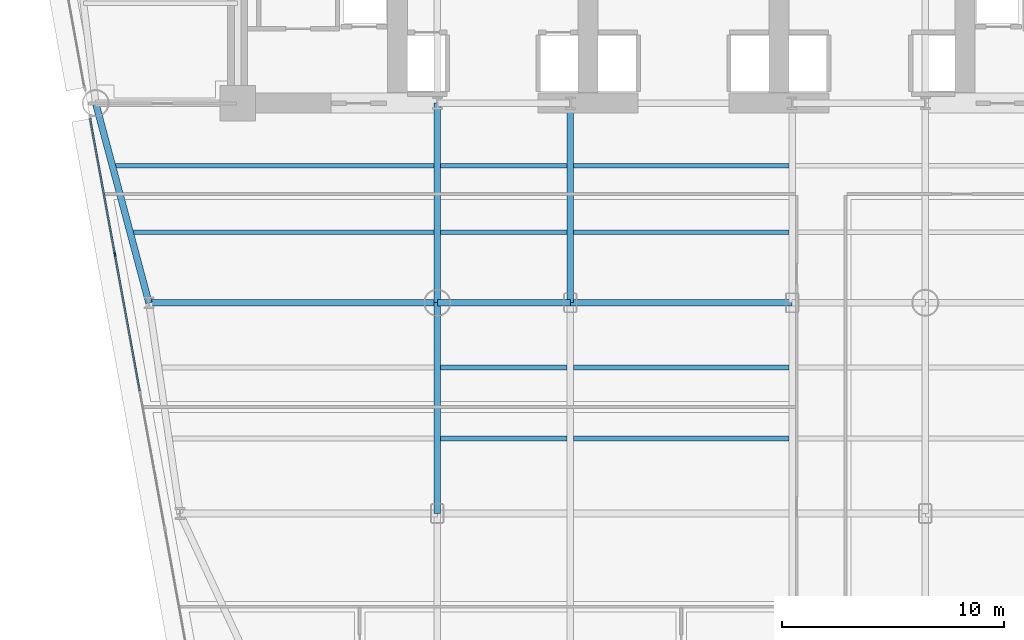
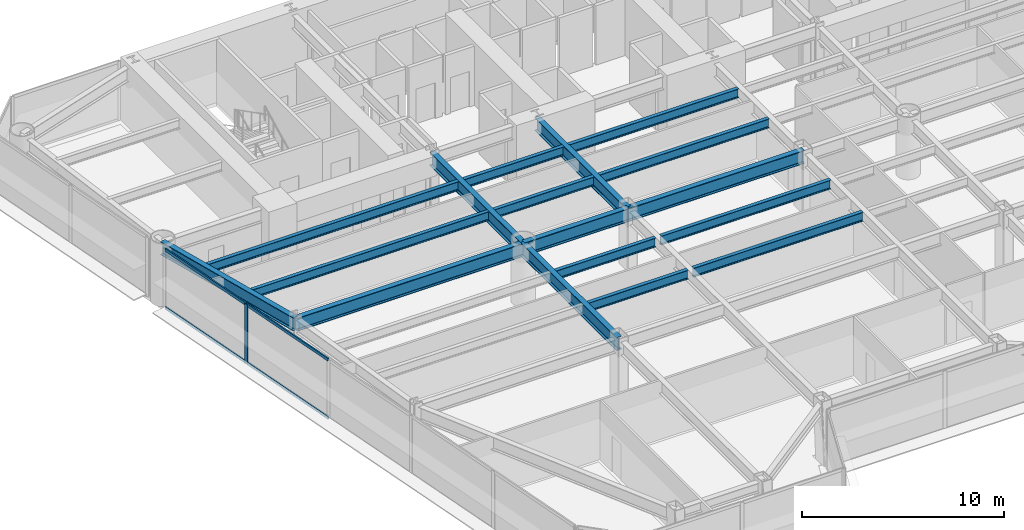
# One storey, part 3 of 14: 17 beams, 5 members, 1 element without a shape of its own.
"""IFC4 building model written with IfcOpenShell, lengths in metres."""

from ifc_helpers import new_model, si_unit, direction, frame, origin, origin_2d, place, context, subcontext, project, spatial, rectangle, i_section, extrude, source, transform, mapped, material, layer, layer_set, material_profile, profile_set, type_object, element, aggregate, save


model = new_model("IFC4")

# Units and contexts
model_context = context("Model", 3, precision=1e-05, world=origin(), true_north=direction((0.0, 1.0)))
body_context = subcontext(model_context, "Body", "Model", "MODEL_VIEW")
ifc_project = project(units=[si_unit("LENGTHUNIT", "METRE"), si_unit("AREAUNIT", "SQUARE_METRE"), si_unit("VOLUMEUNIT", "CUBIC_METRE"), si_unit("PLANEANGLEUNIT", "RADIAN"), si_unit("MASSUNIT", "GRAM", prefix="KILO")], contexts=[model_context])

# Site, building, storey
site_placement = place(None, origin())
site = spatial("IfcSite", under=ifc_project, at=site_placement, CompositionType="ELEMENT")
building_placement = place(site_placement, origin())
building = spatial("IfcBuilding", under=site, at=building_placement, Name="Vaeldorn Concourse Tower", CompositionType="ELEMENT")
storey_placement = place(building_placement, frame((0.0, 0.0, 60.60009765625)))
storey = spatial("IfcBuildingStorey", under=building, at=storey_placement, Name="L15", CompositionType="ELEMENT", Elevation=60.60009765625)

# Beams
ifc_material_1 = material(Name="Steel S355", Category="steel")
ifc_material_profile_1 = material_profile(ifc_material_1, i_section(OverallWidth=0.300048828125, OverallDepth=0.800048828125, WebThickness=0.017578125, FlangeThickness=0.032958984375, FilletRadius=0.030029296875, at=origin_2d()), Name="HEB 800")
ifc_profile_set_1 = profile_set([ifc_material_profile_1], Name="Steel S355")
beam_type_1 = type_object("IfcBeamType", Name="BM-PG-HEB800", PredefinedType="BEAM", material=ifc_profile_set_1)
shared_shape_1 = source(origin(), body_context, "Body", "SweptSolid", [
    extrude(i_section(OverallWidth=0.300048828125, OverallDepth=0.800048828125, WebThickness=0.017578125, FlangeThickness=0.032958984375, FilletRadius=0.030029296875, at=origin_2d()), origin(), (0.0, 0.0, 1.0), 6.0),
])
beam_1_placement = place(storey_placement, frame((23.0, 27.5, 3.179931640625), z_axis=(1.0, 0.0, 0.0), x_axis=(0.0, 1.0, 0.0)))
element("IfcBeam", 1, at=beam_1_placement, inside=storey, type_object=beam_type_1, Name="Beam BM-L15-C-TW1-C-TW2", PredefinedType="BEAM", context=body_context, shape_type="MappedRepresentation", body=[
    mapped(shared_shape_1, transform((0.0, 0.0, 0.0), scale=1.0)),
])
shared_shape_2 = source(origin(), body_context, "Body", "SweptSolid", [
    extrude(i_section(OverallWidth=0.300048828125, OverallDepth=0.800048828125, WebThickness=0.017578125, FlangeThickness=0.032958984375, FilletRadius=0.030029296875, at=origin_2d()), origin(), (0.0, 0.0, 1.0), 10.0),
])
beam_2_placement = place(storey_placement, frame((29.0, 27.5, 3.179931640625), z_axis=(1.0, 0.0, 0.0), x_axis=(0.0, 1.0, 0.0)))
element("IfcBeam", 2, at=beam_2_placement, inside=storey, type_object=beam_type_1, Name="Beam BM-L15-C-TW2-C-TW3", PredefinedType="BEAM", context=body_context, shape_type="MappedRepresentation", body=[
    mapped(shared_shape_2, transform((0.0, 0.0, 0.0), scale=1.0)),
])
shared_shape_3 = source(origin(), body_context, "Body", "SweptSolid", [
    extrude(i_section(OverallWidth=0.300048828125, OverallDepth=0.800048828125, WebThickness=0.017578125, FlangeThickness=0.032958984375, FilletRadius=0.030029296875, at=origin_2d()), origin(), (0.0, 0.0, 1.0), 9.0),
])
for number, where, z_axis, x_axis, name in (
    (3, (23.0, 27.5, 3.179931640625), (0.0, 1.0, 0.0), (-1.0, 0.0, 0.0), "Beam BM-L15-C-TW1-C-FC2"),
    (4, (29.0, 27.5, 3.179931640625), (0.0, 1.0, 0.0), (-1.0, 0.0, 0.0), "Beam BM-L15-C-TW2-C-FC3"),
):
    element("IfcBeam", number, at=place(storey_placement, frame(where, z_axis=z_axis, x_axis=x_axis)), inside=storey, type_object=beam_type_1, Name=name, PredefinedType="BEAM", context=body_context, shape_type="MappedRepresentation", body=[
        mapped(shared_shape_3, transform((0.0, 0.0, 0.0), scale=1.0)),
    ])
shared_shape_4 = source(origin(), body_context, "Body", "SweptSolid", [
    extrude(i_section(OverallWidth=0.300048828125, OverallDepth=0.800048828125, WebThickness=0.017578125, FlangeThickness=0.032958984375, FilletRadius=0.030029296875, at=origin_2d()), origin(), (0.0, 0.0, 1.0), 9.314453125),
])
beam_3_placement = place(storey_placement, frame((7.60009765625, 36.5, 3.179931640625), z_axis=(0.257652862255, -0.966237549763, 0.0), x_axis=(0.966237549763, 0.257652862255, 0.0)))
element("IfcBeam", 5, at=beam_3_placement, inside=storey, type_object=beam_type_1, Name="Beam BM-L15-C-NW2-C-FLW1", PredefinedType="BEAM", context=body_context, shape_type="MappedRepresentation", body=[
    mapped(shared_shape_4, transform((0.0, 0.0, 0.0), scale=1.0)),
])
shared_shape_5 = source(origin(), body_context, "Body", "SweptSolid", [
    extrude(i_section(OverallWidth=0.300048828125, OverallDepth=0.800048828125, WebThickness=0.017578125, FlangeThickness=0.032958984375, FilletRadius=0.030029296875, at=origin_2d()), origin(), (0.0, 0.0, 1.0), 13.0),
])
beam_4_placement = place(storey_placement, frame((10.0, 27.5, 3.179931640625), z_axis=(1.0, 0.0, 0.0), x_axis=(0.0, 1.0, 0.0)))
element("IfcBeam", 6, at=beam_4_placement, inside=storey, type_object=beam_type_1, Name="Beam BM-L15-C-FLW1-C-TW1", PredefinedType="BEAM", context=body_context, shape_type="MappedRepresentation", body=[
    mapped(shared_shape_5, transform((0.0, 0.0, 0.0), scale=1.0)),
])
shared_shape_6 = source(origin(), body_context, "Body", "SweptSolid", [
    extrude(i_section(OverallWidth=0.300048828125, OverallDepth=0.800048828125, WebThickness=0.017578125, FlangeThickness=0.032958984375, FilletRadius=0.030029296875, at=origin_2d()), origin(), (0.0, 0.0, 1.0), 9.5),
])
beam_5_placement = place(storey_placement, frame((23.0, 18.0, 3.179931640625), z_axis=(0.0, 1.0, 0.0), x_axis=(-1.0, 0.0, 0.0)))
element("IfcBeam", 7, at=beam_5_placement, inside=storey, type_object=beam_type_1, Name="Beam BM-L15-C-TW5-C-TW1", PredefinedType="BEAM", context=body_context, shape_type="MappedRepresentation", body=[
    mapped(shared_shape_6, transform((0.0, 0.0, 0.0), scale=1.0)),
])
ifc_material_profile_2 = material_profile(ifc_material_1, i_section(OverallWidth=0.2099609375, OverallDepth=0.550048828125, WebThickness=0.010986328125, FlangeThickness=0.01708984375, FilletRadius=0.02392578125, at=origin_2d()), Name="IPE 550")
ifc_profile_set_2 = profile_set([ifc_material_profile_2], Name="Steel S355")
beam_type_2 = type_object("IfcBeamType", Name="BM-JS-IPE550", PredefinedType="JOIST", material=ifc_profile_set_2)
shared_shape_7 = source(origin(), body_context, "Body", "SweptSolid", [
    extrude(i_section(OverallWidth=0.2099609375, OverallDepth=0.550048828125, WebThickness=0.010986328125, FlangeThickness=0.01708984375, FilletRadius=0.02392578125, at=origin_2d()), origin(), (0.0, 0.0, 1.0), 5.7001953125),
])
for number, where, z_axis, x_axis, name in (
    (8, (23.14990234375, 21.3798828125, 3.304931640625), (1.0, 0.0, 0.0), (0.0, 1.0, 0.0), "Beam JS-L15-W2-213"),
    (9, (23.14990234375, 24.580078125, 3.304931640625), (1.0, 0.0, 0.0), (0.0, 1.0, 0.0), "Beam JS-L15-W2-245"),
    (10, (23.14990234375, 30.679931640625, 3.304931640625), (1.0, 0.0, 0.0), (0.0, 1.0, 0.0), "Beam JS-L15-W2-306"),
    (11, (23.14990234375, 33.679931640625, 3.304931640625), (1.0, 0.0, 0.0), (0.0, 1.0, 0.0), "Beam JS-L15-W2-336"),
):
    element("IfcBeam", number, at=place(storey_placement, frame(where, z_axis=z_axis, x_axis=x_axis)), inside=storey, type_object=beam_type_2, Name=name, PredefinedType="JOIST", context=body_context, shape_type="MappedRepresentation", body=[
        mapped(shared_shape_7, transform((0.0, 0.0, 0.0), scale=1.0)),
    ])
shared_shape_8 = source(origin(), body_context, "Body", "SweptSolid", [
    extrude(i_section(OverallWidth=0.2099609375, OverallDepth=0.550048828125, WebThickness=0.010986328125, FlangeThickness=0.01708984375, FilletRadius=0.02392578125, at=origin_2d()), origin(), (0.0, 0.0, 1.0), 9.7001953125),
])
for number, where, z_axis, x_axis, name in (
    (12, (29.14990234375, 21.3798828125, 3.304931640625), (1.0, 0.0, 0.0), (0.0, 1.0, 0.0), "Beam JS-L15-C-213"),
    (13, (29.14990234375, 24.580078125, 3.304931640625), (1.0, 0.0, 0.0), (0.0, 1.0, 0.0), "Beam JS-L15-C-245"),
    (14, (29.14990234375, 30.679931640625, 3.304931640625), (1.0, 0.0, 0.0), (0.0, 1.0, 0.0), "Beam JS-L15-C-306"),
    (15, (29.14990234375, 33.679931640625, 3.304931640625), (1.0, 0.0, 0.0), (0.0, 1.0, 0.0), "Beam JS-L15-C-336"),
):
    element("IfcBeam", number, at=place(storey_placement, frame(where, z_axis=z_axis, x_axis=x_axis)), inside=storey, type_object=beam_type_2, Name=name, PredefinedType="JOIST", context=body_context, shape_type="MappedRepresentation", body=[
        mapped(shared_shape_8, transform((0.0, 0.0, 0.0), scale=1.0)),
    ])
shared_shape_9 = source(origin(), body_context, "Body", "SweptSolid", [
    extrude(i_section(OverallWidth=0.2099609375, OverallDepth=0.550048828125, WebThickness=0.010986328125, FlangeThickness=0.01708984375, FilletRadius=0.02392578125, at=origin_2d()), origin(), (0.0, 0.0, 1.0), 13.548095703125),
])
beam_6_placement = place(storey_placement, frame((9.302001953125, 30.679931640625, 3.304931640625), z_axis=(1.0, 0.0, 0.0), x_axis=(0.0, 1.0, 0.0)))
element("IfcBeam", 16, at=beam_6_placement, inside=storey, type_object=beam_type_2, Name="Beam JS-L15-W1-306", PredefinedType="JOIST", context=body_context, shape_type="MappedRepresentation", body=[
    mapped(shared_shape_9, transform((0.0, 0.0, 0.0), scale=1.0)),
])
shared_shape_10 = source(origin(), body_context, "Body", "SweptSolid", [
    extrude(i_section(OverallWidth=0.2099609375, OverallDepth=0.550048828125, WebThickness=0.010986328125, FlangeThickness=0.01708984375, FilletRadius=0.02392578125, at=origin_2d()), origin(), (0.0, 0.0, 1.0), 14.34814453125),
])
beam_7_placement = place(storey_placement, frame((8.501953125, 33.679931640625, 3.304931640625), z_axis=(1.0, 0.0, 0.0), x_axis=(0.0, 1.0, 0.0)))
element("IfcBeam", 17, at=beam_7_placement, inside=storey, type_object=beam_type_2, Name="Beam JS-L15-W1-336", PredefinedType="JOIST", context=body_context, shape_type="MappedRepresentation", body=[
    mapped(shared_shape_10, transform((0.0, 0.0, 0.0), scale=1.0)),
])

# Curtain wall, members
ifc_material_2 = material(Name="Anodised Bronze Aluminium", Category="aluminium")
ifc_layer = layer(ifc_material_2, 0.219970703125)
ifc_layer_set = layer_set([ifc_layer], Name="Anodised Bronze Aluminium")
curtain_wall_type = type_object("IfcCurtainWallType", Name="CW-SYS-01", PredefinedType="NOTDEFINED", material=ifc_layer_set)
curtain_wall_placement = place(storey_placement, origin())
curtain_wall = element("IfcCurtainWall", 18, at=curtain_wall_placement, inside=storey, type_object=curtain_wall_type, Name="Unitised Curtain Wall CW-L15-E11-2", PredefinedType="NOTDEFINED")
ifc_material_profile_3 = material_profile(ifc_material_2, rectangle(XDim=0.074951171875, YDim=0.219970703125, at=origin_2d()), Name="CWM 75x220")
ifc_profile_set_3 = profile_set([ifc_material_profile_3], Name="Anodised Bronze Aluminium")
member_type_1 = type_object("IfcMemberType", Name="CWM-BRONZE-220", PredefinedType="MULLION", material=ifc_profile_set_3)
shared_shape_11 = source(origin(), body_context, "Body", "SweptSolid", [
    extrude(rectangle(XDim=0.074951171875, YDim=0.219970703125, at=origin_2d()), origin(), (0.0, 0.0, 1.0), 3.579833984375),
])
member_1_placement = place(storey_placement, frame((8.46630859375, 29.6904296875, 0.0), z_axis=(0.0, 0.0, 1.0), x_axis=(0.98377915742, 0.179383860553, 0.0)))
member_1 = element("IfcMember", 19, at=member_1_placement, type_object=member_type_1, Name="CW-01 mullion 2", PredefinedType="MULLION", context=body_context, shape_type="MappedRepresentation", body=[
    mapped(shared_shape_11, transform((0.0, 0.0, 0.0), scale=1.0)),
])
ifc_material_profile_4 = material_profile(ifc_material_2, rectangle(XDim=0.074951171875, YDim=0.179931640625, at=origin_2d()), Name="CWT 75x180")
ifc_profile_set_4 = profile_set([ifc_material_profile_4], Name="Anodised Bronze Aluminium")
member_type_2 = type_object("IfcMemberType", Name="CWT-BRONZE-180", PredefinedType="USERDEFINED", material=ifc_profile_set_4)
shared_shape_12 = source(origin(), body_context, "Body", "SweptSolid", [
    extrude(rectangle(XDim=0.074951171875, YDim=0.179931640625, at=origin_2d()), origin(), (0.0, 0.0, 1.0), 6.179443359375),
])
member_2_placement = place(storey_placement, frame((7.35107421875, 35.806640625, 0.037353515625), z_axis=(0.179365199084, -0.983782559999, 0.0), x_axis=(0.983782559999, 0.179365199084, 0.0)))
member_2 = element("IfcMember", 20, at=member_2_placement, type_object=member_type_2, Name="CW-01 transom 1.1", ObjectType="TRANSOM", PredefinedType="USERDEFINED", context=body_context, shape_type="MappedRepresentation", body=[
    mapped(shared_shape_12, transform((0.0, 0.0, 0.0), scale=1.0)),
])
member_3_placement = place(storey_placement, frame((7.35107421875, 35.806640625, 3.54248046875), z_axis=(0.179365199084, -0.983782559999, 0.0), x_axis=(0.983782559999, 0.179365199084, 0.0)))
member_3 = element("IfcMember", 21, at=member_3_placement, type_object=member_type_2, Name="CW-01 transom 1.2", ObjectType="TRANSOM", PredefinedType="USERDEFINED", context=body_context, shape_type="MappedRepresentation", body=[
    mapped(shared_shape_12, transform((0.0, 0.0, 0.0), scale=1.0)),
])
shared_shape_13 = source(origin(), body_context, "Body", "SweptSolid", [
    extrude(rectangle(XDim=0.074951171875, YDim=0.179931640625, at=origin_2d()), origin(), (0.0, 0.0, 1.0), 6.21728515625),
])
member_4_placement = place(storey_placement, frame((8.472900390625, 29.653564453125, 0.037353515625), z_axis=(0.179376108564, -0.983780570898, 0.0), x_axis=(0.983780570898, 0.179376108564, 0.0)))
member_4 = element("IfcMember", 22, at=member_4_placement, type_object=member_type_2, Name="CW-01 transom 2.1", ObjectType="TRANSOM", PredefinedType="USERDEFINED", context=body_context, shape_type="MappedRepresentation", body=[
    mapped(shared_shape_13, transform((0.0, 0.0, 0.0), scale=1.0)),
])
member_5_placement = place(storey_placement, frame((8.472900390625, 29.653564453125, 3.54248046875), z_axis=(0.179376108564, -0.983780570898, 0.0), x_axis=(0.983780570898, 0.179376108564, 0.0)))
member_5 = element("IfcMember", 23, at=member_5_placement, type_object=member_type_2, Name="CW-01 transom 2.2", ObjectType="TRANSOM", PredefinedType="USERDEFINED", context=body_context, shape_type="MappedRepresentation", body=[
    mapped(shared_shape_13, transform((0.0, 0.0, 0.0), scale=1.0)),
])
aggregate(curtain_wall, [member_1, member_2, member_3, member_4, member_5])

save(model, "model.ifc")
